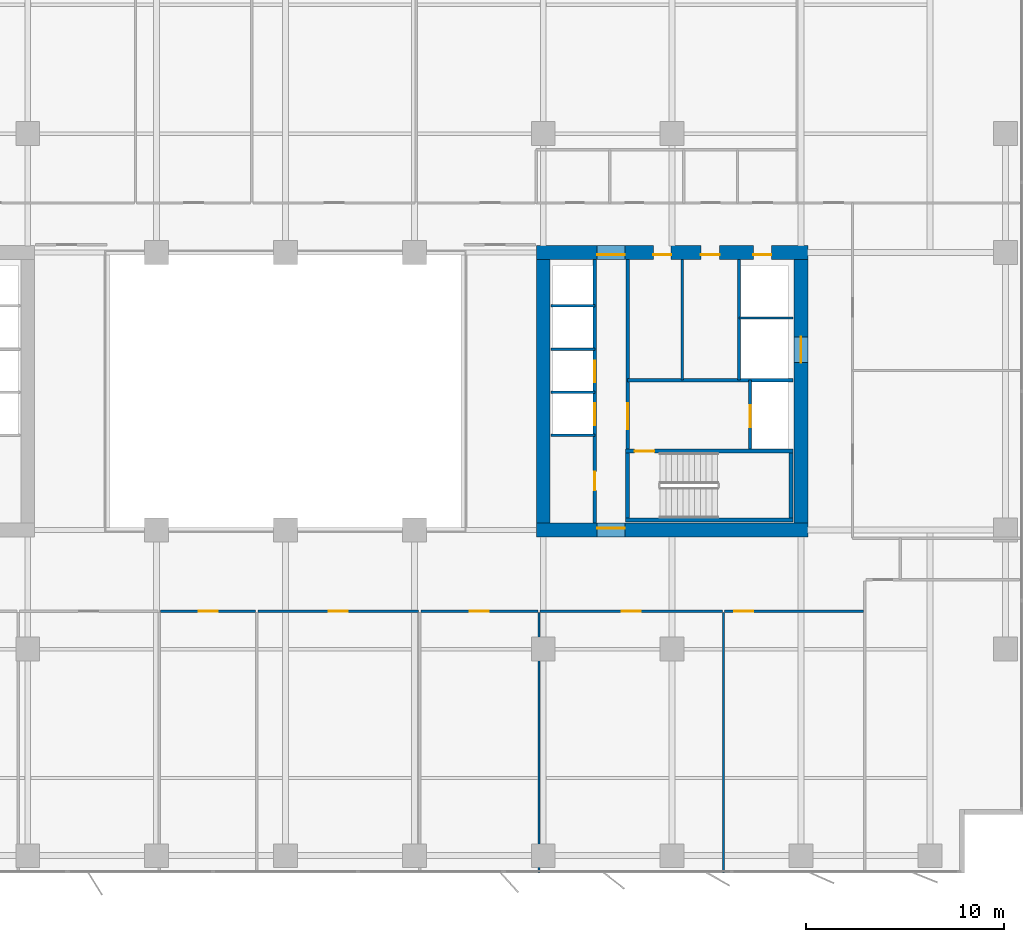
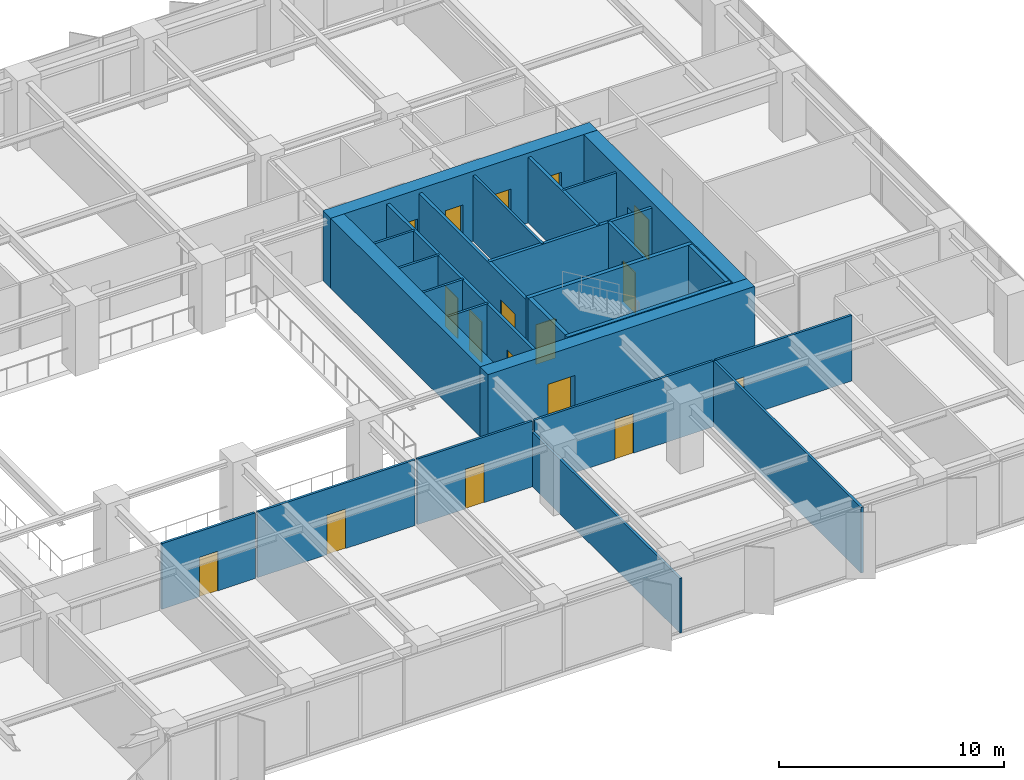
# One storey, part 14 of 20: 26 walls, 17 doors, 17 openings.
"""IFC4 building model written with IfcOpenShell, lengths in metres."""

import ifcopenshell
import ifcopenshell.guid

model = None  # the IFC model being written
_history = None  # IfcOwnerHistory: only IFC2X3 demands one
_inside = {}  # id of a spatial element -> (the spatial element, [elements in it])
_under = {}  # id of a project, library or spatial element -> (it, [spatial elements below it])
_declared = {}  # id of a project -> (the project, [libraries it declares])
_typed = {}  # id of a type object -> (the type object, [elements of that type])
_made_of = {}  # id of a material, layer set ... -> (it, [elements and type objects made of it])


def new_model(schema):
    """Start an empty IFC model of exactly this schema.

    Asked for "IFC4X3", IfcOpenShell would pick the latest addendum, in which some entities
    have other attributes; the version numbers below select the first issue.
    IFC2X3 requires an IfcOwnerHistory on every rooted entity: one is made here for all.
    """
    global model, _history
    if schema == "IFC4X3":
        model = ifcopenshell.file(schema_version=(4, 3, 0, 0))
    else:
        model = ifcopenshell.file(schema=schema)
    _inside.clear()
    _under.clear()
    _declared.clear()
    _typed.clear()
    _made_of.clear()
    _history = None
    if model.schema == "IFC2X3":
        org = make("IfcOrganization", Name="unknown")
        user = make(
            "IfcPersonAndOrganization",
            ThePerson=make("IfcPerson", FamilyName="unknown"),
            TheOrganization=org,
        )
        app = make(
            "IfcApplication",
            ApplicationDeveloper=org,
            Version="unknown",
            ApplicationFullName="unknown",
            ApplicationIdentifier="unknown",
        )
        _history = make(
            "IfcOwnerHistory",
            OwningUser=user,
            OwningApplication=app,
            ChangeAction="ADDED",
            CreationDate=0,
        )
    return model


def make(cls, **values):
    """One entity of the class cls with the attributes given. An attribute that is None is left unset."""
    return model.create_entity(
        cls, **{name: value for name, value in values.items() if value is not None}
    )


def rooted(cls, **values):
    """An entity with a GlobalId (a new one), such as an element, a storey or a relation."""
    return make(cls, GlobalId=ifcopenshell.guid.new(), OwnerHistory=_history, **values)


def si_unit(unit_type, name, prefix=None):
    """IfcSIUnit, for example si_unit("LENGTHUNIT", "METRE", prefix="MILLI")."""
    return make("IfcSIUnit", UnitType=unit_type, Prefix=prefix, Name=name)


def assignment(units):
    """IfcUnitAssignment: the units of a project."""
    return None if units is None else make("IfcUnitAssignment", Units=units)


def point(xyz):
    """IfcCartesianPoint."""
    return None if xyz is None else make("IfcCartesianPoint", Coordinates=xyz)


def direction(xyz):
    """IfcDirection."""
    return None if xyz is None else make("IfcDirection", DirectionRatios=xyz)


def frame(location, z_axis=None, x_axis=None):
    """IfcAxis2Placement3D, a coordinate frame: its origin and axes. An axis left out is left unset."""
    return make(
        "IfcAxis2Placement3D",
        Location=point(location),
        Axis=direction(z_axis),
        RefDirection=direction(x_axis),
    )


def frame_2d(location, x_axis=None):
    """IfcAxis2Placement2D, a coordinate frame in the plane: its origin and x axis."""
    return make(
        "IfcAxis2Placement2D", Location=point(location), RefDirection=direction(x_axis)
    )


def origin():
    """The frame at (0, 0, 0) with its axes left unset."""
    return frame((0.0, 0.0, 0.0))


def place(relative_to, where):
    """IfcLocalPlacement: puts the frame where relative to a parent placement (None: the world)."""
    return make(
        "IfcLocalPlacement", PlacementRelTo=relative_to, RelativePlacement=where
    )


def context(
    kind, dimensions, precision=None, world=None, true_north=None, identifier=None
):
    """IfcGeometricRepresentationContext, for example the 3D "Model" context."""
    return make(
        "IfcGeometricRepresentationContext",
        ContextIdentifier=identifier,
        ContextType=kind,
        CoordinateSpaceDimension=dimensions,
        Precision=precision,
        WorldCoordinateSystem=world,
        TrueNorth=true_north,
    )


def subcontext(parent, identifier, kind, view, scale=None):
    """IfcGeometricRepresentationSubContext, for example "Body" below "Model"."""
    return make(
        "IfcGeometricRepresentationSubContext",
        ContextIdentifier=identifier,
        ContextType=kind,
        ParentContext=parent,
        TargetScale=scale,
        TargetView=view,
    )


def project(units=None, contexts=None):
    """IfcProject with its units and contexts."""
    return rooted(
        "IfcProject",
        Name="project",
        RepresentationContexts=contexts,
        UnitsInContext=assignment(units),
    )


def spatial(cls, under=None, at=None, **own):
    """A site, building, storey or space (cls), placed at a placement, below another one or the project."""
    s = rooted(cls, ObjectPlacement=at, **own)
    if under is not None:
        _under.setdefault(under.id(), (under, []))[1].append(s)
    return s


def profile(cls, at=None, kind="AREA", **sizes):
    """A parametric profile (cls). Its sizes go by their IFC names, for example OverallWidth=200.0."""
    return make(cls, ProfileType=kind, Position=at, **sizes)


def rectangle(**sizes):
    """IfcRectangleProfileDef."""
    return profile("IfcRectangleProfileDef", **sizes)


def extrude(swept, where, along, depth):
    """IfcExtrudedAreaSolid: the profile swept, set in the frame where, extruded along a direction by depth."""
    return make(
        "IfcExtrudedAreaSolid",
        SweptArea=swept,
        Position=where,
        ExtrudedDirection=direction(along),
        Depth=depth,
    )


def shape(context_of_items, identifier, shape_type, items):
    """IfcShapeRepresentation: the items that make up one representation, for example the "Body"."""
    return make(
        "IfcShapeRepresentation",
        ContextOfItems=context_of_items,
        RepresentationIdentifier=identifier,
        RepresentationType=shape_type,
        Items=items,
    )


def material(Name=None, Category=None):
    """IfcMaterial."""
    return make("IfcMaterial", Name=Name, Category=Category)


def layer(
    of_material, thickness, ventilated=None, Name=None, Category=None, Priority=None
):
    """IfcMaterialLayer: one layer of a wall or slab, of a material (None: an air gap)."""
    return make(
        "IfcMaterialLayer",
        Material=of_material,
        LayerThickness=thickness,
        IsVentilated=ventilated,
        Name=Name,
        Category=Category,
        Priority=Priority,
    )


def layer_set(layers, Name=None):
    """IfcMaterialLayerSet."""
    return make("IfcMaterialLayerSet", MaterialLayers=layers, LayerSetName=Name)


def made_of(thing, what):
    """Note that an element or type object is made of a material, layer set ...; save() writes the relation."""
    if what is not None:
        _made_of.setdefault(what.id(), (what, []))[1].append(thing)
    return thing


def type_object(cls, material=None, **own):
    """A type object (cls), such as IfcWallType, which elements share."""
    return made_of(rooted(cls, **own), material)


def element(
    cls,
    number,
    at=None,
    inside=None,
    cuts=None,
    type_object=None,
    material=None,
    context=None,
    identifier="Body",
    shape_type=None,
    held_by="IfcProductDefinitionShape",
    body=None,
    shapes=None,
    **own,
):
    """One element of the class cls, such as IfcWall. Its Tag is "e" and its number.

    at: its placement. inside: the storey or other place that contains it. cuts: it is an
    opening in that element (IfcRelVoidsElement). A single representation is given by context,
    identifier, shape_type and body (its items); several are given by shapes. held_by: the class
    of the entity that holds the representations. save() writes the other relations.
    """
    e = rooted(cls, Tag="e%d" % number, ObjectPlacement=at, **own)
    if body is not None:
        shapes = [shape(context, identifier, shape_type, body)]
    if shapes is not None:
        e.Representation = make(held_by, Representations=shapes)
    if inside is not None:
        _inside.setdefault(inside.id(), (inside, []))[1].append(e)
    if cuts is not None:
        rooted(
            "IfcRelVoidsElement", RelatingBuildingElement=cuts, RelatedOpeningElement=e
        )
    if type_object is not None:
        _typed.setdefault(type_object.id(), (type_object, []))[1].append(e)
    return made_of(e, material)


def fill(opening, filler):
    """IfcRelFillsElement: the door or window that sits in an opening."""
    return rooted(
        "IfcRelFillsElement",
        RelatingOpeningElement=opening,
        RelatedBuildingElement=filler,
    )


def aggregate(whole, parts):
    """IfcRelAggregates: a whole, such as a stair, and the parts it consists of."""
    return rooted("IfcRelAggregates", RelatingObject=whole, RelatedObjects=parts)


def save(model, path):
    """Write the relations noted so far, then the file.

    IfcRelAggregates (storeys below a building ...), IfcRelContainedInSpatialStructure (elements
    in a storey), IfcRelDefinesByType, IfcRelAssociatesMaterial and IfcRelDeclares: one each for
    every whole, place, type object, material and project.
    """
    for whole, parts in _under.values():
        aggregate(whole, parts)
    for where, things in _inside.values():
        rooted(
            "IfcRelContainedInSpatialStructure",
            RelatedElements=things,
            RelatingStructure=where,
        )
    for kind, things in _typed.values():
        rooted("IfcRelDefinesByType", RelatedObjects=things, RelatingType=kind)
    for what, things in _made_of.values():
        rooted("IfcRelAssociatesMaterial", RelatedObjects=things, RelatingMaterial=what)
    for by, libraries in _declared.values():
        rooted("IfcRelDeclares", RelatingContext=by, RelatedDefinitions=libraries)
    model.write(path)


model = new_model("IFC4")

# Units and contexts
model_context = context("Model", 3, precision=1e-05, world=origin(), true_north=direction((0.0, 1.0)))
body_context = subcontext(model_context, "Body", "Model", "MODEL_VIEW")
ifc_project = project(units=[si_unit("LENGTHUNIT", "METRE"), si_unit("AREAUNIT", "SQUARE_METRE"), si_unit("VOLUMEUNIT", "CUBIC_METRE"), si_unit("PLANEANGLEUNIT", "RADIAN"), si_unit("MASSUNIT", "GRAM", prefix="KILO")], contexts=[model_context])

# Site, building, storey
site_placement = place(None, origin())
site = spatial("IfcSite", under=ifc_project, at=site_placement, CompositionType="ELEMENT")
building_placement = place(site_placement, origin())
building = spatial("IfcBuilding", under=site, at=building_placement, Name="Putna Gate Headquarters", CompositionType="ELEMENT")
storey_placement = place(building_placement, frame((0.0, 0.0, 131.60009765625)))
storey = spatial("IfcBuildingStorey", under=building, at=storey_placement, Name="L32", CompositionType="ELEMENT", Elevation=131.60009765625)

# Wall, opening, door
ifc_material_1 = material(Name="Concrete C60/75", Category="concrete")
ifc_layer_1 = layer(ifc_material_1, 0.699951171875)
ifc_layer_set_1 = layer_set([ifc_layer_1], Name="Concrete C60/75")
wall_type_1 = type_object("IfcWallType", Name="WALL-CORE-700", PredefinedType="SHEAR", material=ifc_layer_set_1)
wall_1_placement = place(storey_placement, frame((51.64990234375, 19.0, 0.0), z_axis=(0.0, 0.0, 1.0), x_axis=(1.0, 0.0, 0.0)))
wall_1 = element("IfcWall", 1, at=wall_1_placement, inside=storey, type_object=wall_type_1, Name="L32 EC Split Core Shear Wall S", PredefinedType="SHEAR", context=body_context, shape_type="SweptSolid", body=[
    extrude(rectangle(XDim=13.7001953125, YDim=0.699951171875, at=frame_2d((6.85009765625, 0.0))), origin(), (0.0, 0.0, 1.0), 3.7998046875),
])
opening_1_placement = place(wall_1_placement, frame((3.070068359375, 0.0, 0.0)))
opening_1 = element("IfcOpeningElement", 2, at=opening_1_placement, cuts=wall_1, Name="Opening FDD-140", PredefinedType="OPENING", context=body_context, shape_type="SweptSolid", body=[
    extrude(rectangle(XDim=1.39990234375, YDim=2.199951171875, at=frame_2d((0.699951171875, 1.10009765625))), frame((0.0, 0.35986328125, 0.0), z_axis=(0.0, -1.0, 0.0), x_axis=(1.0, 0.0, 0.0)), (0.0, 0.0, 1.0), 0.719970703125),
])
ifc_material_2 = material(Name="Double steel fire door", Category="steel")
door_type_1 = type_object("IfcDoorType", Name="DOOR-FIRE-DBL-1400", OperationType="DOUBLE_DOOR_SINGLE_SWING", PredefinedType="DOOR", material=ifc_material_2)
door_1_placement = place(opening_1_placement, origin())
door_1 = element("IfcDoor", 3, at=door_1_placement, inside=storey, type_object=door_type_1, Name="L32 East Lift Lobby South Door", OperationType="DOUBLE_DOOR_SINGLE_SWING", OverallHeight=2.199951171875, OverallWidth=1.39990234375, PredefinedType="DOOR", context=body_context, shape_type="SweptSolid", body=[
    extrude(rectangle(XDim=1.39990234375, YDim=2.199951171875, at=frame_2d((0.699951171875, 1.10009765625))), frame((0.0, 0.125, 0.0), z_axis=(0.0, -1.0, 0.0), x_axis=(1.0, 0.0, 0.0)), (0.0, 0.0, 1.0), 0.050048828125),
])
fill(opening_1, door_1)

# Wall, openings, doors
wall_2_placement = place(storey_placement, frame((51.64990234375, 33.0, 0.0), z_axis=(0.0, 0.0, 1.0), x_axis=(1.0, 0.0, 0.0)))
wall_2 = element("IfcWall", 4, at=wall_2_placement, inside=storey, type_object=wall_type_1, Name="L32 EC Split Core Shear Wall N", PredefinedType="SHEAR", context=body_context, shape_type="SweptSolid", body=[
    extrude(rectangle(XDim=13.7001953125, YDim=0.699951171875, at=frame_2d((6.85009765625, 0.0))), origin(), (0.0, 0.0, 1.0), 3.7998046875),
])
opening_2_placement = place(wall_2_placement, frame((3.070068359375, 0.0, 0.0)))
opening_2 = element("IfcOpeningElement", 5, at=opening_2_placement, cuts=wall_2, Name="Opening FDD-140", PredefinedType="OPENING", context=body_context, shape_type="SweptSolid", body=[
    extrude(rectangle(XDim=1.39990234375, YDim=2.199951171875, at=frame_2d((0.699951171875, 1.10009765625))), frame((0.0, 0.35986328125, 0.0), z_axis=(0.0, -1.0, 0.0), x_axis=(1.0, 0.0, 0.0)), (0.0, 0.0, 1.0), 0.719970703125),
])
opening_3_placement = place(wall_2_placement, frame((10.949951171875, 0.0, 0.0)))
opening_3 = element("IfcOpeningElement", 6, at=opening_3_placement, cuts=wall_2, Name="Opening RD-90", PredefinedType="OPENING", context=body_context, shape_type="SweptSolid", body=[
    extrude(rectangle(XDim=0.89990234375, YDim=2.14990234375, at=frame_2d((0.449951171875, 1.074951171875))), frame((0.0, 0.35986328125, 0.0), z_axis=(0.0, -1.0, 0.0), x_axis=(1.0, 0.0, 0.0)), (0.0, 0.0, 1.0), 0.719970703125),
])
opening_4_placement = place(wall_2_placement, frame((5.89990234375, 0.0, 0.0)))
opening_4 = element("IfcOpeningElement", 7, at=opening_4_placement, cuts=wall_2, Name="Opening IDS-90", PredefinedType="OPENING", context=body_context, shape_type="SweptSolid", body=[
    extrude(rectangle(XDim=0.89990234375, YDim=2.14990234375, at=frame_2d((0.449951171875, 1.074951171875))), frame((0.0, 0.35986328125, 0.0), z_axis=(0.0, -1.0, 0.0), x_axis=(1.0, 0.0, 0.0)), (0.0, 0.0, 1.0), 0.719970703125),
])
opening_5_placement = place(wall_2_placement, frame((8.300048828125, 0.0, 0.0)))
opening_5 = element("IfcOpeningElement", 8, at=opening_5_placement, cuts=wall_2, Name="Opening IDS-95", PredefinedType="OPENING", context=body_context, shape_type="SweptSolid", body=[
    extrude(rectangle(XDim=0.949951171875, YDim=2.14990234375, at=frame_2d((0.47509765625, 1.074951171875))), frame((0.0, 0.35986328125, 0.0), z_axis=(0.0, -1.0, 0.0), x_axis=(1.0, 0.0, 0.0)), (0.0, 0.0, 1.0), 0.719970703125),
])
door_2_placement = place(opening_2_placement, origin())
door_2 = element("IfcDoor", 9, at=door_2_placement, inside=storey, type_object=door_type_1, Name="L32 East Lift Lobby North Door", OperationType="DOUBLE_DOOR_SINGLE_SWING", OverallHeight=2.199951171875, OverallWidth=1.39990234375, PredefinedType="DOOR", context=body_context, shape_type="SweptSolid", body=[
    extrude(rectangle(XDim=1.39990234375, YDim=2.199951171875, at=frame_2d((0.699951171875, 1.10009765625))), frame((0.0, -0.0751953125, 0.0), z_axis=(0.0, -1.0, 0.0), x_axis=(1.0, 0.0, 0.0)), (0.0, 0.0, 1.0), 0.050048828125),
])
fill(opening_2, door_2)
ifc_material_3 = material(Name="Fire-rated utility door")
door_type_2 = type_object("IfcDoorType", Name="DOOR-INT-900", OperationType="NOTDEFINED", PredefinedType="DOOR", material=ifc_material_3)
door_3_placement = place(opening_4_placement, origin())
door_3 = element("IfcDoor", 10, at=door_3_placement, inside=storey, type_object=door_type_2, Name="L32 Telecoms Plant Door", OperationType="SINGLE_SWING_LEFT", OverallHeight=2.14990234375, OverallWidth=0.89990234375, PredefinedType="DOOR", context=body_context, shape_type="SweptSolid", body=[
    extrude(rectangle(XDim=0.89990234375, YDim=2.14990234375, at=frame_2d((0.449951171875, 1.074951171875))), frame((0.0, -0.0751953125, 0.0), z_axis=(0.0, -1.0, 0.0), x_axis=(1.0, 0.0, 0.0)), (0.0, 0.0, 1.0), 0.050048828125),
])
fill(opening_4, door_3)
ifc_material_4 = material(Name="Fire-rated service timber door", Category="wood")
door_type_3 = type_object("IfcDoorType", Name="DOOR-INT-950", OperationType="NOTDEFINED", PredefinedType="DOOR", material=ifc_material_4)
door_4_placement = place(opening_5_placement, origin())
door_4 = element("IfcDoor", 11, at=door_4_placement, inside=storey, type_object=door_type_3, Name="L32 Supplies Store Door", OperationType="SINGLE_SWING_RIGHT", OverallHeight=2.14990234375, OverallWidth=0.949951171875, PredefinedType="DOOR", context=body_context, shape_type="SweptSolid", body=[
    extrude(rectangle(XDim=0.949951171875, YDim=2.14990234375, at=frame_2d((0.47509765625, 1.074951171875))), frame((0.0, -0.0751953125, 0.0), z_axis=(0.0, -1.0, 0.0), x_axis=(1.0, 0.0, 0.0)), (0.0, 0.0, 1.0), 0.050048828125),
])
fill(opening_5, door_4)
ifc_material_5 = material(Name="Steel riser access fire door", Category="steel")
door_type_4 = type_object("IfcDoorType", Name="DOOR-RISER-900", OperationType="NOTDEFINED", PredefinedType="DOOR", material=ifc_material_5)
door_5_placement = place(opening_3_placement, origin())
door_5 = element("IfcDoor", 12, at=door_5_placement, inside=storey, type_object=door_type_4, Name="L32 East Riser Access Door", OperationType="SINGLE_SWING_LEFT", OverallHeight=2.14990234375, OverallWidth=0.89990234375, PredefinedType="DOOR", context=body_context, shape_type="SweptSolid", body=[
    extrude(rectangle(XDim=0.89990234375, YDim=2.14990234375, at=frame_2d((0.449951171875, 1.074951171875))), frame((0.0, -0.0751953125, 0.0), z_axis=(0.0, -1.0, 0.0), x_axis=(1.0, 0.0, 0.0)), (0.0, 0.0, 1.0), 0.050048828125),
])
fill(opening_3, door_5)

# Wall
wall_3_placement = place(storey_placement, frame((52.0, 19.35009765625, 0.0), z_axis=(0.0, 0.0, 1.0), x_axis=(0.0, 1.0, 0.0)))
element("IfcWall", 13, at=wall_3_placement, inside=storey, type_object=wall_type_1, Name="L32 EC Split Core Shear Wall W", PredefinedType="SHEAR", context=body_context, shape_type="SweptSolid", body=[
    extrude(rectangle(XDim=13.2998046875, YDim=0.699951171875, at=frame_2d((6.64990234375, 0.0))), origin(), (0.0, 0.0, 1.0), 3.7998046875),
])

# Wall, opening, door
wall_4_placement = place(storey_placement, frame((65.0, 19.35009765625, 0.0), z_axis=(0.0, 0.0, 1.0), x_axis=(0.0, 1.0, 0.0)))
wall_4 = element("IfcWall", 14, at=wall_4_placement, inside=storey, type_object=wall_type_1, Name="L32 EC Split Core Shear Wall E", PredefinedType="SHEAR", context=body_context, shape_type="SweptSolid", body=[
    extrude(rectangle(XDim=13.2998046875, YDim=0.699951171875, at=frame_2d((6.64990234375, 0.0))), origin(), (0.0, 0.0, 1.0), 3.7998046875),
])
opening_6_placement = place(wall_4_placement, frame((8.10009765625, 0.0, 0.0)))
opening_6 = element("IfcOpeningElement", 15, at=opening_6_placement, cuts=wall_4, Name="Opening LD-2", PredefinedType="OPENING", context=body_context, shape_type="SweptSolid", body=[
    extrude(rectangle(XDim=1.300048828125, YDim=2.199951171875, at=frame_2d((0.64990234375, 1.10009765625))), frame((0.0, 0.35986328125, 0.0), z_axis=(0.0, -1.0, 0.0), x_axis=(1.0, 0.0, 0.0)), (0.0, 0.0, 1.0), 0.719970703125),
])
ifc_material_6 = material(Name="Heavy-duty goods lift sliding landing door")
door_type_5 = type_object("IfcDoorType", Name="DOOR-LIFT-1300", OperationType="DOUBLE_DOOR_SLIDING", PredefinedType="DOOR", material=ifc_material_6)
door_6_placement = place(opening_6_placement, origin())
door_6 = element("IfcDoor", 16, at=door_6_placement, inside=storey, type_object=door_type_5, Name="L32 Goods Lift Landing Door LD-15", OperationType="DOUBLE_DOOR_SLIDING", OverallHeight=2.199951171875, OverallWidth=1.300048828125, PredefinedType="DOOR", context=body_context, shape_type="SweptSolid", body=[
    extrude(rectangle(XDim=1.300048828125, YDim=2.199951171875, at=frame_2d((0.64990234375, 1.10009765625))), frame((0.0, 0.02490234375, 0.0), z_axis=(0.0, -1.0, 0.0), x_axis=(1.0, 0.0, 0.0)), (0.0, 0.0, 1.0), 0.050048828125),
])
fill(opening_6, door_6)

# Walls
ifc_material_7 = material(Name="Acoustic gypsum board on metal stud")
ifc_layer_2 = layer(ifc_material_7, 0.1201171875)
ifc_layer_set_2 = layer_set([ifc_layer_2], Name="Acoustic gypsum board on metal stud")
wall_type_2 = type_object("IfcWallType", Name="WALL-PART-120", PredefinedType="PARTITIONING", material=ifc_layer_set_2)
wall_5_placement = place(storey_placement, frame((51.78662109375, 1.719970703125, 0.0), z_axis=(0.0, 0.0, 1.0), x_axis=(0.0, 1.0, 0.0)))
element("IfcWall", 17, at=wall_5_placement, inside=storey, type_object=wall_type_2, Name="L32 Interior Wall PART-L32-SB-DIV-07", PredefinedType="PARTITIONING", context=body_context, shape_type="SweptSolid", body=[
    extrude(rectangle(XDim=13.1201171875, YDim=0.1201171875, at=frame_2d((6.56005859375, 0.0))), origin(), (0.0, 0.0, 1.0), 2.96484375),
])
wall_6_placement = place(storey_placement, frame((61.093505859375, 1.719970703125, 0.0), z_axis=(0.0, 0.0, 1.0), x_axis=(0.0, 1.0, 0.0)))
element("IfcWall", 18, at=wall_6_placement, inside=storey, type_object=wall_type_2, Name="L32 Interior Wall PART-L32-SB-DIV-08", PredefinedType="PARTITIONING", context=body_context, shape_type="SweptSolid", body=[
    extrude(rectangle(XDim=13.1201171875, YDim=0.1201171875, at=frame_2d((6.56005859375, 0.0))), origin(), (0.0, 0.0, 1.0), 3.56494140625),
])
ifc_material_8 = material(Name="Fire-rated shaftwall gypsum board on metal stud")
ifc_layer_3 = layer(ifc_material_8, 0.1201171875)
ifc_layer_set_3 = layer_set([ifc_layer_3], Name="Fire-rated shaftwall gypsum board on metal stud")
wall_type_3 = type_object("IfcWallType", Name="WALL-PART-120-EI120", PredefinedType="PARTITIONING", material=ifc_layer_set_3)
for number, where, z_axis, x_axis, name in (
    (19, (52.39990234375, 25.949951171875, 0.0), (0.0, 0.0, 1.0), (1.0, 0.0, 0.0), "L32 Interior Wall CWINT-L32-EC-LF07-DIV"),
    (20, (52.39990234375, 28.1201171875, 0.0), (0.0, 0.0, 1.0), (1.0, 0.0, 0.0), "L32 Interior Wall CWINT-L32-EC-LF08-DIV"),
    (21, (52.39990234375, 30.31005859375, 0.0), (0.0, 0.0, 1.0), (1.0, 0.0, 0.0), "L32 Interior Wall CWINT-L32-EC-LF11-DIV"),
):
    element("IfcWall", number, at=place(storey_placement, frame(where, z_axis=z_axis, x_axis=x_axis)), inside=storey, type_object=wall_type_3, Name=name, PredefinedType="PARTITIONING", context=body_context, shape_type="SweptSolid", body=[
        extrude(rectangle(XDim=2.2001953125, YDim=0.1201171875, at=frame_2d((1.10009765625, 0.0))), origin(), (0.0, 0.0, 1.0), 3.56494140625),
    ])
wall_7_placement = place(storey_placement, frame((61.8701171875, 29.699951171875, 0.0), z_axis=(0.0, 0.0, 1.0), x_axis=(1.0, 0.0, 0.0)))
element("IfcWall", 22, at=wall_7_placement, inside=storey, type_object=wall_type_3, Name="L32 Interior Wall CWINT-L32-EC-LF15-N", PredefinedType="PARTITIONING", context=body_context, shape_type="SweptSolid", body=[
    extrude(rectangle(XDim=2.72998046875, YDim=0.1201171875, at=frame_2d((1.364990234375, 0.0))), origin(), (0.0, 0.0, 1.0), 3.56494140625),
])
ifc_material_9 = material(Name="Fire-rated gypsum board on metal stud")
ifc_layer_4 = layer(ifc_material_9, 0.1201171875)
ifc_layer_set_4 = layer_set([ifc_layer_4], Name="Fire-rated gypsum board on metal stud")
wall_type_4 = type_object("IfcWallType", Name="WALL-PART-120-RATED", PredefinedType="PARTITIONING", material=ifc_layer_set_4)
wall_8_placement = place(storey_placement, frame((52.39990234375, 23.780029296875, 0.0), z_axis=(0.0, 0.0, 1.0), x_axis=(1.0, 0.0, 0.0)))
element("IfcWall", 23, at=wall_8_placement, inside=storey, type_object=wall_type_4, Name="L32 Interior Wall CWINT-L32-EC-LF04-DIV", PredefinedType="PARTITIONING", context=body_context, shape_type="SweptSolid", body=[
    extrude(rectangle(XDim=2.2001953125, YDim=0.1201171875, at=frame_2d((1.10009765625, 0.0))), origin(), (0.0, 0.0, 1.0), 3.56494140625),
])
wall_9_placement = place(storey_placement, frame((59.02001953125, 26.56005859375, 0.0), z_axis=(0.0, 0.0, 1.0), x_axis=(0.0, 1.0, 0.0)))
element("IfcWall", 24, at=wall_9_placement, inside=storey, type_object=wall_type_4, Name="L32 Interior Wall CWINT-L32-EC-K1-DIV", PredefinedType="PARTITIONING", context=body_context, shape_type="SweptSolid", body=[
    extrude(rectangle(XDim=6.08984375, YDim=0.1201171875, at=frame_2d((3.044921875, 0.0))), origin(), (0.0, 0.0, 1.0), 3.56494140625),
])

# Wall, opening, door
wall_10_placement = place(storey_placement, frame((32.699951171875, 14.89990234375, 0.0), z_axis=(0.0, 0.0, 1.0), x_axis=(1.0, 0.0, 0.0)))
wall_10 = element("IfcWall", 25, at=wall_10_placement, inside=storey, type_object=wall_type_4, Name="L32 Interior Wall PART-L32-SB-CW-05", PredefinedType="PARTITIONING", context=body_context, shape_type="SweptSolid", body=[
    extrude(rectangle(XDim=4.796142578125, YDim=0.1201171875, at=frame_2d((2.39794921875, 0.0))), origin(), (0.0, 0.0, 1.0), 3.56494140625),
])
opening_7_placement = place(wall_10_placement, frame((1.923095703125, 0.0, 0.0)))
opening_7 = element("IfcOpeningElement", 26, at=opening_7_placement, cuts=wall_10, Name="Opening FD-95", PredefinedType="OPENING", context=body_context, shape_type="SweptSolid", body=[
    extrude(rectangle(XDim=0.949951171875, YDim=2.14990234375, at=frame_2d((0.47509765625, 1.074951171875))), frame((0.0, 0.070068359375, 0.0), z_axis=(0.0, -1.0, 0.0), x_axis=(1.0, 0.0, 0.0)), (0.0, 0.0, 1.0), 0.14013671875),
])
ifc_material_10 = material(Name="Acoustic timber fire door", Category="wood")
door_type_6 = type_object("IfcDoorType", Name="DOOR-FIRE-950", OperationType="NOTDEFINED", PredefinedType="DOOR", material=ifc_material_10)
door_7_placement = place(opening_7_placement, origin())
door_7 = element("IfcDoor", 27, at=door_7_placement, inside=storey, type_object=door_type_6, Name="L32 Conference Meeting Room 2 Door", OperationType="SINGLE_SWING_LEFT", OverallHeight=2.14990234375, OverallWidth=0.949951171875, PredefinedType="DOOR", context=body_context, shape_type="SweptSolid", body=[
    extrude(rectangle(XDim=0.949951171875, YDim=2.14990234375, at=frame_2d((0.47509765625, 1.074951171875))), frame((0.0, 0.02490234375, 0.0), z_axis=(0.0, -1.0, 0.0), x_axis=(1.0, 0.0, 0.0)), (0.0, 0.0, 1.0), 0.050048828125),
])
fill(opening_7, door_7)

wall_11_placement = place(storey_placement, frame((37.6162109375, 14.89990234375, 0.0), z_axis=(0.0, 0.0, 1.0), x_axis=(1.0, 0.0, 0.0)))
wall_11 = element("IfcWall", 28, at=wall_11_placement, inside=storey, type_object=wall_type_4, Name="L32 Interior Wall PART-L32-SB-CW-06", PredefinedType="PARTITIONING", context=body_context, shape_type="SweptSolid", body=[
    extrude(rectangle(XDim=8.091064453125, YDim=0.1201171875, at=frame_2d((4.04541015625, 0.0))), origin(), (0.0, 0.0, 1.0), 3.56494140625),
])
opening_8_placement = place(wall_11_placement, frame((3.570556640625, 0.0, 0.0)))
opening_8 = element("IfcOpeningElement", 29, at=opening_8_placement, cuts=wall_11, Name="Opening FD-95", PredefinedType="OPENING", context=body_context, shape_type="SweptSolid", body=[
    extrude(rectangle(XDim=0.949951171875, YDim=2.14990234375, at=frame_2d((0.47509765625, 1.074951171875))), frame((0.0, 0.070068359375, 0.0), z_axis=(0.0, -1.0, 0.0), x_axis=(1.0, 0.0, 0.0)), (0.0, 0.0, 1.0), 0.14013671875),
])
door_8_placement = place(opening_8_placement, origin())
door_8 = element("IfcDoor", 30, at=door_8_placement, inside=storey, type_object=door_type_6, Name="L32 Conference Meeting Room 3 Door", OperationType="SINGLE_SWING_RIGHT", OverallHeight=2.14990234375, OverallWidth=0.949951171875, PredefinedType="DOOR", context=body_context, shape_type="SweptSolid", body=[
    extrude(rectangle(XDim=0.949951171875, YDim=2.14990234375, at=frame_2d((0.47509765625, 1.074951171875))), frame((0.0, 0.02490234375, 0.0), z_axis=(0.0, -1.0, 0.0), x_axis=(1.0, 0.0, 0.0)), (0.0, 0.0, 1.0), 0.050048828125),
])
fill(opening_8, door_8)

wall_12_placement = place(storey_placement, frame((45.827392578125, 14.89990234375, 0.0), z_axis=(0.0, 0.0, 1.0), x_axis=(1.0, 0.0, 0.0)))
wall_12 = element("IfcWall", 31, at=wall_12_placement, inside=storey, type_object=wall_type_4, Name="L32 Interior Wall PART-L32-SB-CW-07", PredefinedType="PARTITIONING", context=body_context, shape_type="SweptSolid", body=[
    extrude(rectangle(XDim=5.8994140625, YDim=0.1201171875, at=frame_2d((2.94970703125, 0.0))), origin(), (0.0, 0.0, 1.0), 3.56494140625),
])
opening_9_placement = place(wall_12_placement, frame((2.474609375, 0.0, 0.0)))
opening_9 = element("IfcOpeningElement", 32, at=opening_9_placement, cuts=wall_12, Name="Opening FD-95", PredefinedType="OPENING", context=body_context, shape_type="SweptSolid", body=[
    extrude(rectangle(XDim=0.949951171875, YDim=2.14990234375, at=frame_2d((0.47509765625, 1.074951171875))), frame((0.0, 0.070068359375, 0.0), z_axis=(0.0, -1.0, 0.0), x_axis=(1.0, 0.0, 0.0)), (0.0, 0.0, 1.0), 0.14013671875),
])
door_9_placement = place(opening_9_placement, origin())
door_9 = element("IfcDoor", 33, at=door_9_placement, inside=storey, type_object=door_type_6, Name="L32 Conference Meeting Room 4 Door", OperationType="SINGLE_SWING_LEFT", OverallHeight=2.14990234375, OverallWidth=0.949951171875, PredefinedType="DOOR", context=body_context, shape_type="SweptSolid", body=[
    extrude(rectangle(XDim=0.949951171875, YDim=2.14990234375, at=frame_2d((0.47509765625, 1.074951171875))), frame((0.0, 0.02490234375, 0.0), z_axis=(0.0, -1.0, 0.0), x_axis=(1.0, 0.0, 0.0)), (0.0, 0.0, 1.0), 0.050048828125),
])
fill(opening_9, door_9)

wall_13_placement = place(storey_placement, frame((51.8466796875, 14.89990234375, 0.0), z_axis=(0.0, 0.0, 1.0), x_axis=(1.0, 0.0, 0.0)))
wall_13 = element("IfcWall", 34, at=wall_13_placement, inside=storey, type_object=wall_type_4, Name="L32 Interior Wall PART-L32-SB-CW-08", PredefinedType="PARTITIONING", context=body_context, shape_type="SweptSolid", body=[
    extrude(rectangle(XDim=9.186767578125, YDim=0.1201171875, at=frame_2d((4.59326171875, 0.0))), origin(), (0.0, 0.0, 1.0), 3.56494140625),
])
opening_10_placement = place(wall_13_placement, frame((4.118408203125, 0.0, 0.0)))
opening_10 = element("IfcOpeningElement", 35, at=opening_10_placement, cuts=wall_13, Name="Opening FD-95", PredefinedType="OPENING", context=body_context, shape_type="SweptSolid", body=[
    extrude(rectangle(XDim=0.949951171875, YDim=2.14990234375, at=frame_2d((0.47509765625, 1.074951171875))), frame((0.0, 0.070068359375, 0.0), z_axis=(0.0, -1.0, 0.0), x_axis=(1.0, 0.0, 0.0)), (0.0, 0.0, 1.0), 0.14013671875),
])
door_10_placement = place(opening_10_placement, origin())
door_10 = element("IfcDoor", 36, at=door_10_placement, inside=storey, type_object=door_type_6, Name="L32 Conference Meeting Room 5 Door", OperationType="SINGLE_SWING_RIGHT", OverallHeight=2.14990234375, OverallWidth=0.949951171875, PredefinedType="DOOR", context=body_context, shape_type="SweptSolid", body=[
    extrude(rectangle(XDim=0.949951171875, YDim=2.14990234375, at=frame_2d((0.47509765625, 1.074951171875))), frame((0.0, 0.02490234375, 0.0), z_axis=(0.0, -1.0, 0.0), x_axis=(1.0, 0.0, 0.0)), (0.0, 0.0, 1.0), 0.050048828125),
])
fill(opening_10, door_10)

wall_14_placement = place(storey_placement, frame((61.153564453125, 14.89990234375, 0.0), z_axis=(0.0, 0.0, 1.0), x_axis=(1.0, 0.0, 0.0)))
wall_14 = element("IfcWall", 37, at=wall_14_placement, inside=storey, type_object=wall_type_4, Name="L32 Interior Wall PART-L32-SB-CW-09", PredefinedType="PARTITIONING", context=body_context, shape_type="SweptSolid", body=[
    extrude(rectangle(XDim=6.9951171875, YDim=0.1201171875, at=frame_2d((3.49755859375, 0.0))), origin(), (0.0, 0.0, 1.0), 3.56494140625),
])
opening_11_placement = place(wall_14_placement, frame((0.47998046875, 0.0, 0.0)))
opening_11 = element("IfcOpeningElement", 38, at=opening_11_placement, cuts=wall_14, Name="Opening FD-95", PredefinedType="OPENING", context=body_context, shape_type="SweptSolid", body=[
    extrude(rectangle(XDim=0.949951171875, YDim=2.14990234375, at=frame_2d((0.47509765625, 1.074951171875))), frame((0.0, 0.070068359375, 0.0), z_axis=(0.0, -1.0, 0.0), x_axis=(1.0, 0.0, 0.0)), (0.0, 0.0, 1.0), 0.14013671875),
])
door_11_placement = place(opening_11_placement, origin())
door_11 = element("IfcDoor", 39, at=door_11_placement, inside=storey, type_object=door_type_6, Name="L32 Conference Meeting Room 6 Door", OperationType="SINGLE_SWING_LEFT", OverallHeight=2.14990234375, OverallWidth=0.949951171875, PredefinedType="DOOR", context=body_context, shape_type="SweptSolid", body=[
    extrude(rectangle(XDim=0.949951171875, YDim=2.14990234375, at=frame_2d((0.47509765625, 1.074951171875))), frame((0.0, 0.02490234375, 0.0), z_axis=(0.0, -1.0, 0.0), x_axis=(1.0, 0.0, 0.0)), (0.0, 0.0, 1.0), 0.050048828125),
])
fill(opening_11, door_11)

# Wall, openings, doors
ifc_material_11 = material(Name="Concrete C40/50", Category="concrete")
ifc_layer_5 = layer(ifc_material_11, 0.159912109375)
ifc_layer_set_5 = layer_set([ifc_layer_5], Name="Concrete C40/50")
wall_type_5 = type_object("IfcWallType", Name="WALL-SHAFT-160", PredefinedType="STANDARD", material=ifc_layer_set_5)
wall_15_placement = place(storey_placement, frame((54.60009765625, 19.35009765625, 0.0), z_axis=(0.0, 0.0, 1.0), x_axis=(0.0, 1.0, 0.0)))
wall_15 = element("IfcWall", 40, at=wall_15_placement, inside=storey, type_object=wall_type_5, Name="L32 Interior Wall CWINT-L32-EC-PL-WALL", PredefinedType="STANDARD", context=body_context, shape_type="SweptSolid", body=[
    extrude(rectangle(XDim=13.2998046875, YDim=0.159912109375, at=frame_2d((6.64990234375, 0.0))), origin(), (0.0, 0.0, 1.0), 3.56494140625),
])
opening_12_placement = place(wall_15_placement, frame((1.64990234375, 0.0, 0.0)))
opening_12 = element("IfcOpeningElement", 41, at=opening_12_placement, cuts=wall_15, Name="Opening IDS-95", PredefinedType="OPENING", context=body_context, shape_type="SweptSolid", body=[
    extrude(rectangle(XDim=0.949951171875, YDim=2.14990234375, at=frame_2d((0.47509765625, 1.074951171875))), frame((0.0, 0.08984375, 0.0), z_axis=(0.0, -1.0, 0.0), x_axis=(1.0, 0.0, 0.0)), (0.0, 0.0, 1.0), 0.179931640625),
])
opening_13_placement = place(wall_15_placement, frame((4.949951171875, 0.0, 0.0)))
opening_13 = element("IfcOpeningElement", 42, at=opening_13_placement, cuts=wall_15, Name="Opening LD-1", PredefinedType="OPENING", context=body_context, shape_type="SweptSolid", body=[
    extrude(rectangle(XDim=1.10009765625, YDim=2.199951171875, at=frame_2d((0.550048828125, 1.10009765625))), frame((0.0, 0.08984375, 0.0), z_axis=(0.0, -1.0, 0.0), x_axis=(1.0, 0.0, 0.0)), (0.0, 0.0, 1.0), 0.179931640625),
])
opening_14_placement = place(wall_15_placement, frame((7.10009765625, 0.0, 0.0)))
opening_14 = element("IfcOpeningElement", 43, at=opening_14_placement, cuts=wall_15, Name="Opening LD-1", PredefinedType="OPENING", context=body_context, shape_type="SweptSolid", body=[
    extrude(rectangle(XDim=1.10009765625, YDim=2.199951171875, at=frame_2d((0.550048828125, 1.10009765625))), frame((0.0, 0.08984375, 0.0), z_axis=(0.0, -1.0, 0.0), x_axis=(1.0, 0.0, 0.0)), (0.0, 0.0, 1.0), 0.179931640625),
])
door_12_placement = place(opening_12_placement, origin())
door_12 = element("IfcDoor", 44, at=door_12_placement, inside=storey, type_object=door_type_3, Name="L32 Stationery Store Door", OperationType="SINGLE_SWING_RIGHT", OverallHeight=2.14990234375, OverallWidth=0.949951171875, PredefinedType="DOOR", context=body_context, shape_type="SweptSolid", body=[
    extrude(rectangle(XDim=0.949951171875, YDim=2.14990234375, at=frame_2d((0.47509765625, 1.074951171875))), frame((0.0, 0.02490234375, 0.0), z_axis=(0.0, -1.0, 0.0), x_axis=(1.0, 0.0, 0.0)), (0.0, 0.0, 1.0), 0.050048828125),
])
fill(opening_12, door_12)
ifc_material_12 = material(Name="Brushed bronze stainless lift landing door")
door_type_7 = type_object("IfcDoorType", Name="DOOR-LIFT-1100", OperationType="DOUBLE_DOOR_SLIDING", PredefinedType="DOOR", material=ifc_material_12)
door_13_placement = place(opening_13_placement, origin())
door_13 = element("IfcDoor", 45, at=door_13_placement, inside=storey, type_object=door_type_7, Name="L32 Lift Landing Door LD-07", OperationType="DOUBLE_DOOR_SLIDING", OverallHeight=2.199951171875, OverallWidth=1.10009765625, PredefinedType="DOOR", context=body_context, shape_type="SweptSolid", body=[
    extrude(rectangle(XDim=1.10009765625, YDim=2.199951171875, at=frame_2d((0.550048828125, 1.10009765625))), frame((0.0, 0.02490234375, 0.0), z_axis=(0.0, -1.0, 0.0), x_axis=(1.0, 0.0, 0.0)), (0.0, 0.0, 1.0), 0.050048828125),
])
fill(opening_13, door_13)
door_14_placement = place(opening_14_placement, origin())
door_14 = element("IfcDoor", 46, at=door_14_placement, inside=storey, type_object=door_type_7, Name="L32 Lift Landing Door LD-08", OperationType="DOUBLE_DOOR_SLIDING", OverallHeight=2.199951171875, OverallWidth=1.10009765625, PredefinedType="DOOR", context=body_context, shape_type="SweptSolid", body=[
    extrude(rectangle(XDim=1.10009765625, YDim=2.199951171875, at=frame_2d((0.550048828125, 1.10009765625))), frame((0.0, 0.02490234375, 0.0), z_axis=(0.0, -1.0, 0.0), x_axis=(1.0, 0.0, 0.0)), (0.0, 0.0, 1.0), 0.050048828125),
])
fill(opening_14, door_14)

# Wall, opening, door
wall_16_placement = place(storey_placement, frame((56.260009765625, 23.090087890625, 0.0), z_axis=(0.0, 0.0, 1.0), x_axis=(0.0, 1.0, 0.0)))
wall_16 = element("IfcWall", 47, at=wall_16_placement, inside=storey, type_object=wall_type_5, Name="L32 Interior Wall CWINT-L32-EC-LOB-E", PredefinedType="STANDARD", context=body_context, shape_type="SweptSolid", body=[
    extrude(rectangle(XDim=9.559814453125, YDim=0.159912109375, at=frame_2d((4.77978515625, 0.0))), origin(), (0.0, 0.0, 1.0), 3.56494140625),
])
opening_15_placement = place(wall_16_placement, frame((1.010009765625, 0.0, 0.0)))
opening_15 = element("IfcOpeningElement", 48, at=opening_15_placement, cuts=wall_16, Name="Opening FDD-130", PredefinedType="OPENING", context=body_context, shape_type="SweptSolid", body=[
    extrude(rectangle(XDim=1.300048828125, YDim=2.199951171875, at=frame_2d((0.64990234375, 1.10009765625))), frame((0.0, 0.08984375, 0.0), z_axis=(0.0, -1.0, 0.0), x_axis=(1.0, 0.0, 0.0)), (0.0, 0.0, 1.0), 0.179931640625),
])
ifc_material_13 = material(Name="Double steel lobby fire door", Category="steel")
door_type_8 = type_object("IfcDoorType", Name="DOOR-FIRE-DBL-1300", OperationType="DOUBLE_DOOR_SINGLE_SWING", PredefinedType="DOOR", material=ifc_material_13)
door_15_placement = place(opening_15_placement, origin())
door_15 = element("IfcDoor", 49, at=door_15_placement, inside=storey, type_object=door_type_8, Name="L32 East Firefighting Lobby Door", OperationType="DOUBLE_DOOR_SINGLE_SWING", OverallHeight=2.199951171875, OverallWidth=1.300048828125, PredefinedType="DOOR", context=body_context, shape_type="SweptSolid", body=[
    extrude(rectangle(XDim=1.300048828125, YDim=2.199951171875, at=frame_2d((0.64990234375, 1.10009765625))), frame((0.0, 0.02490234375, 0.0), z_axis=(0.0, -1.0, 0.0), x_axis=(1.0, 0.0, 0.0)), (0.0, 0.0, 1.0), 0.050048828125),
])
fill(opening_15, door_15)

wall_17_placement = place(storey_placement, frame((62.429931640625, 23.090087890625, 0.0), z_axis=(0.0, 0.0, 1.0), x_axis=(0.0, 1.0, 0.0)))
wall_17 = element("IfcWall", 50, at=wall_17_placement, inside=storey, type_object=wall_type_5, Name="L32 Interior Wall CWINT-L32-EC-LF14-W", PredefinedType="STANDARD", context=body_context, shape_type="SweptSolid", body=[
    extrude(rectangle(XDim=3.469970703125, YDim=0.159912109375, at=frame_2d((1.73486328125, 0.0))), origin(), (0.0, 0.0, 1.0), 3.56494140625),
])
opening_16_placement = place(wall_17_placement, frame((1.10009765625, 0.0, 0.0)))
opening_16 = element("IfcOpeningElement", 51, at=opening_16_placement, cuts=wall_17, Name="Opening LD-1", PredefinedType="OPENING", context=body_context, shape_type="SweptSolid", body=[
    extrude(rectangle(XDim=1.10009765625, YDim=2.199951171875, at=frame_2d((0.550048828125, 1.10009765625))), frame((0.0, 0.08984375, 0.0), z_axis=(0.0, -1.0, 0.0), x_axis=(1.0, 0.0, 0.0)), (0.0, 0.0, 1.0), 0.179931640625),
])
door_16_placement = place(opening_16_placement, origin())
door_16 = element("IfcDoor", 52, at=door_16_placement, inside=storey, type_object=door_type_7, Name="L32 Lift Landing Door LD-14", OperationType="DOUBLE_DOOR_SLIDING", OverallHeight=2.199951171875, OverallWidth=1.10009765625, PredefinedType="DOOR", context=body_context, shape_type="SweptSolid", body=[
    extrude(rectangle(XDim=1.10009765625, YDim=2.199951171875, at=frame_2d((0.550048828125, 1.10009765625))), frame((0.0, 0.02490234375, 0.0), z_axis=(0.0, -1.0, 0.0), x_axis=(1.0, 0.0, 0.0)), (0.0, 0.0, 1.0), 0.050048828125),
])
fill(opening_16, door_16)

# Walls
wall_18_placement = place(storey_placement, frame((56.260009765625, 26.56005859375, 0.0), z_axis=(0.0, 0.0, 1.0), x_axis=(1.0, 0.0, 0.0)))
element("IfcWall", 53, at=wall_18_placement, inside=storey, type_object=wall_type_5, Name="L32 Interior Wall CWINT-L32-EC-FFL-N", PredefinedType="STANDARD", context=body_context, shape_type="SweptSolid", body=[
    extrude(rectangle(XDim=8.340087890625, YDim=0.159912109375, at=frame_2d((4.169921875, 0.0))), origin(), (0.0, 0.0, 1.0), 3.56494140625),
])
wall_19_placement = place(storey_placement, frame((61.8701171875, 26.56005859375, 0.0), z_axis=(0.0, 0.0, 1.0), x_axis=(0.0, 1.0, 0.0)))
element("IfcWall", 54, at=wall_19_placement, inside=storey, type_object=wall_type_5, Name="L32 Interior Wall CWINT-L32-EC-LF15-W", PredefinedType="STANDARD", context=body_context, shape_type="SweptSolid", body=[
    extrude(rectangle(XDim=6.08984375, YDim=0.159912109375, at=frame_2d((3.044921875, 0.0))), origin(), (0.0, 0.0, 1.0), 3.56494140625),
])
ifc_layer_6 = layer(ifc_material_11, 0.199951171875)
ifc_layer_set_6 = layer_set([ifc_layer_6], Name="Concrete C40/50")
wall_type_6 = type_object("IfcWallType", Name="WALL-SHAFT-RC200", PredefinedType="SHEAR", material=ifc_layer_set_6)
wall_20_placement = place(storey_placement, frame((56.159912109375, 19.510009765625, 0.0), z_axis=(0.0, 0.0, 1.0), x_axis=(1.0, 0.0, 0.0)))
element("IfcWall", 55, at=wall_20_placement, inside=storey, type_object=wall_type_6, Name="L32 Stair ST2 Structural Shaft Wall S", PredefinedType="SHEAR", context=body_context, shape_type="SweptSolid", body=[
    extrude(rectangle(XDim=8.43017578125, YDim=0.199951171875, at=frame_2d((4.215087890625, 0.0))), origin(), (0.0, 0.0, 1.0), 3.7998046875),
])

# Wall, opening, door
wall_21_placement = place(storey_placement, frame((56.159912109375, 22.989990234375, 0.0), z_axis=(0.0, 0.0, 1.0), x_axis=(1.0, 0.0, 0.0)))
wall_21 = element("IfcWall", 56, at=wall_21_placement, inside=storey, type_object=wall_type_6, Name="L32 Stair ST2 Structural Shaft Wall N", PredefinedType="SHEAR", context=body_context, shape_type="SweptSolid", body=[
    extrude(rectangle(XDim=8.43017578125, YDim=0.199951171875, at=frame_2d((4.215087890625, 0.0))), origin(), (0.0, 0.0, 1.0), 3.7998046875),
])
opening_17_placement = place(wall_21_placement, frame((0.449951171875, 0.0, 0.0)))
opening_17 = element("IfcOpeningElement", 57, at=opening_17_placement, cuts=wall_21, Name="Opening FD-100", PredefinedType="OPENING", context=body_context, shape_type="SweptSolid", body=[
    extrude(rectangle(XDim=1.0, YDim=2.14990234375, at=frame_2d((0.5, 1.074951171875))), frame((0.0, 0.10986328125, 0.0), z_axis=(0.0, -1.0, 0.0), x_axis=(1.0, 0.0, 0.0)), (0.0, 0.0, 1.0), 0.219970703125),
])
ifc_material_14 = material(Name="Powder-coated steel fire door", Category="steel")
door_type_9 = type_object("IfcDoorType", Name="DOOR-FIRE-1000", OperationType="NOTDEFINED", PredefinedType="DOOR", material=ifc_material_14)
door_17_placement = place(opening_17_placement, origin())
door_17 = element("IfcDoor", 58, at=door_17_placement, inside=storey, type_object=door_type_9, Name="L32 Stair ST2 Fire Door", OperationType="SINGLE_SWING_RIGHT", OverallHeight=2.14990234375, OverallWidth=1.0, PredefinedType="DOOR", context=body_context, shape_type="SweptSolid", body=[
    extrude(rectangle(XDim=1.0, YDim=2.14990234375, at=frame_2d((0.5, 1.074951171875))), frame((0.0, 0.02490234375, 0.0), z_axis=(0.0, -1.0, 0.0), x_axis=(1.0, 0.0, 0.0)), (0.0, 0.0, 1.0), 0.050048828125),
])
fill(opening_17, door_17)

# Walls
for number, where, z_axis, x_axis, name in (
    (59, (56.260009765625, 19.610107421875, 0.0), (0.0, 0.0, 1.0), (0.0, 1.0, 0.0), "L32 Stair ST2 Structural Shaft Wall W"),
    (60, (64.489990234375, 19.610107421875, 0.0), (0.0, 0.0, 1.0), (0.0, 1.0, 0.0), "L32 Stair ST2 Structural Shaft Wall E"),
):
    element("IfcWall", number, at=place(storey_placement, frame(where, z_axis=z_axis, x_axis=x_axis)), inside=storey, type_object=wall_type_6, Name=name, PredefinedType="SHEAR", context=body_context, shape_type="SweptSolid", body=[
        extrude(rectangle(XDim=3.27978515625, YDim=0.199951171875, at=frame_2d((1.639892578125, 0.0))), origin(), (0.0, 0.0, 1.0), 3.7998046875),
    ])

save(model, "model.ifc")
